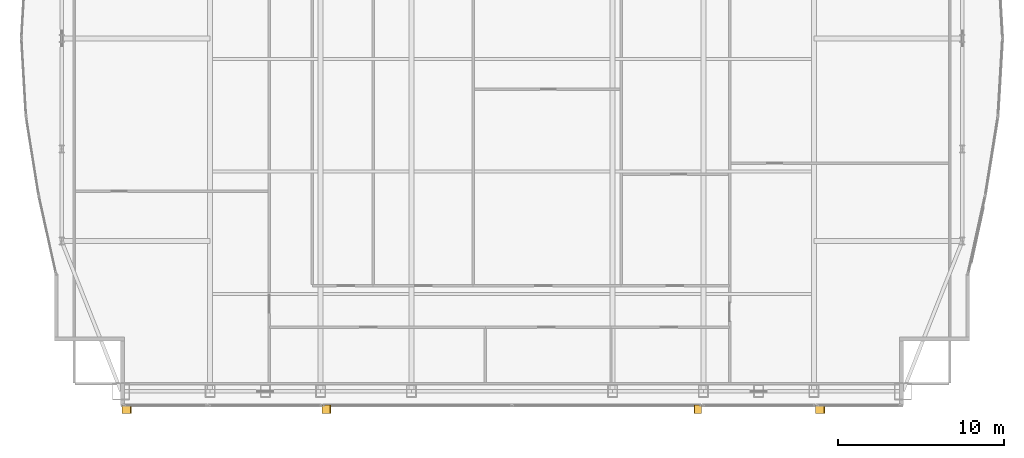
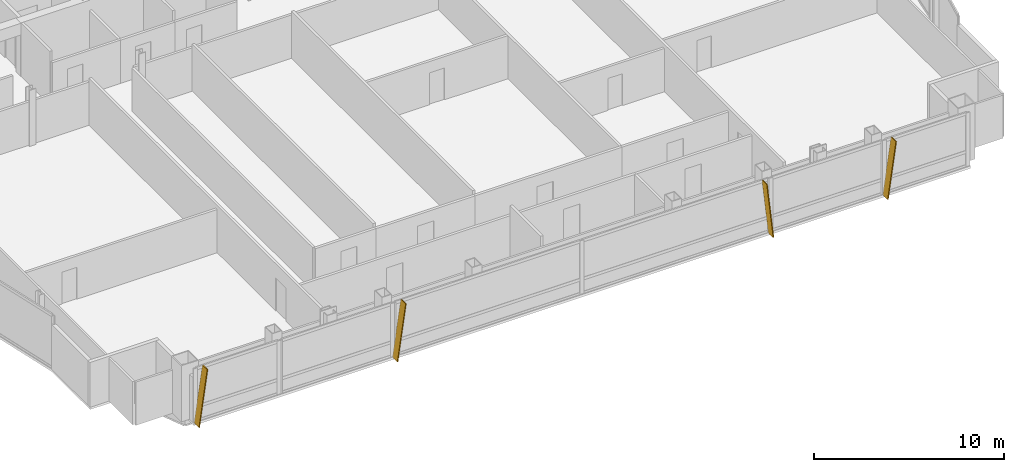
# One storey, part 29 of 30: 4 shading devices.
"""IFC4 building model written with IfcOpenShell, lengths in metres."""

from ifc_helpers import new_model, si_unit, direction, frame, origin, place, context, subcontext, project, spatial, polyline, outline, extrude, material, layer, layer_set, type_object, element, save


model = new_model("IFC4")

# Units and contexts
model_context = context("Model", 3, precision=1e-05, world=origin(), true_north=direction((0.0, 1.0)))
body_context = subcontext(model_context, "Body", "Model", "MODEL_VIEW")
ifc_project = project(units=[si_unit("LENGTHUNIT", "METRE"), si_unit("AREAUNIT", "SQUARE_METRE"), si_unit("VOLUMEUNIT", "CUBIC_METRE"), si_unit("PLANEANGLEUNIT", "RADIAN"), si_unit("MASSUNIT", "GRAM", prefix="KILO")], contexts=[model_context])

# Site, building, storey
site_placement = place(None, origin())
site = spatial("IfcSite", under=ifc_project, at=site_placement, CompositionType="ELEMENT")
building_placement = place(site_placement, origin())
building = spatial("IfcBuilding", under=site, at=building_placement, Name="Khoronbel Lancet Exchange", CompositionType="ELEMENT")
storey_placement = place(building_placement, frame((0.0, 0.0, 269.800048828125)))
storey = spatial("IfcBuildingStorey", under=building, at=storey_placement, Name="L69", CompositionType="ELEMENT", Elevation=269.800048828125)

# Shading devices
ifc_material = material(Name="Bronze-Anodised Aluminium 6063-T6", Category="aluminium")
ifc_layer = layer(ifc_material, 0.054931640625, Name="Bronze-Anodised Aluminium 6063-T6")
ifc_layer_set = layer_set([ifc_layer], Name="Bronze-Anodised Aluminium 6063-T6")
shading_device_type = type_object("IfcShadingDeviceType", Name="SHD-FIN1", PredefinedType="USERDEFINED", material=ifc_layer_set)
for number, where, z_axis, x_axis, name in (
    (1, (12.91259765625, 9.31005859375, -0.080078125), (-0.990092925251, 0.0, 0.140413672296), (0.0, -1.0, 0.0), "Slanted bronze solar fin CW-L69-SWV-0"),
    (2, (24.972412109375, 9.31005859375, -0.080078125), (-0.990083483708, 0.0, 0.140480230955), (0.0, -1.0, 0.0), "Slanted bronze solar fin CW-L69-SCV-0"),
):
    element("IfcShadingDevice", number, at=place(storey_placement, frame(where, z_axis=z_axis, x_axis=x_axis)), inside=storey, type_object=shading_device_type, Name=name, ObjectType="FIN", PredefinedType="USERDEFINED", context=body_context, shape_type="SweptSolid", body=[
        extrude(outline(polyline([(0.0, 0.0), (0.52001953125, 0.0), (0.52001953125, 3.595703125), (0.0, 3.595703125), (0.0, 0.0)])), origin(), (0.0, 0.0, -1.0), 0.054931640625),
    ])
shading_device_1_placement = place(storey_placement, frame((47.87255859375, 9.31005859375, -0.080078125), z_axis=(0.993900347655, 0.0, 0.110281906632), x_axis=(0.0, -1.0, 0.0)))
element("IfcShadingDevice", 3, at=shading_device_1_placement, inside=storey, type_object=shading_device_type, Name="Slanted bronze solar fin CW-L69-SCV-2", ObjectType="FIN", PredefinedType="USERDEFINED", context=body_context, shape_type="SweptSolid", body=[
    extrude(outline(polyline([(0.0, 0.0), (0.52001953125, 0.0), (0.52001953125, -3.581787109375), (0.0, -3.581787109375), (0.0, 0.0)])), origin(), (0.0, 0.0, -1.0), 0.054931640625),
])
shading_device_2_placement = place(storey_placement, frame((54.7724609375, 9.31005859375, -0.080078125), z_axis=(-0.990083483708, 0.0, 0.140480230955), x_axis=(0.0, -1.0, 0.0)))
element("IfcShadingDevice", 4, at=shading_device_2_placement, inside=storey, type_object=shading_device_type, Name="Slanted bronze solar fin CW-L69-SEV-0", ObjectType="FIN", PredefinedType="USERDEFINED", context=body_context, shape_type="SweptSolid", body=[
    extrude(outline(polyline([(0.0, 0.0), (0.52001953125, 0.0), (0.52001953125, 3.595703125), (0.0, 3.595703125), (0.0, 0.0)])), origin(), (0.0, 0.0, -1.0), 0.054931640625),
])

save(model, "model.ifc")
